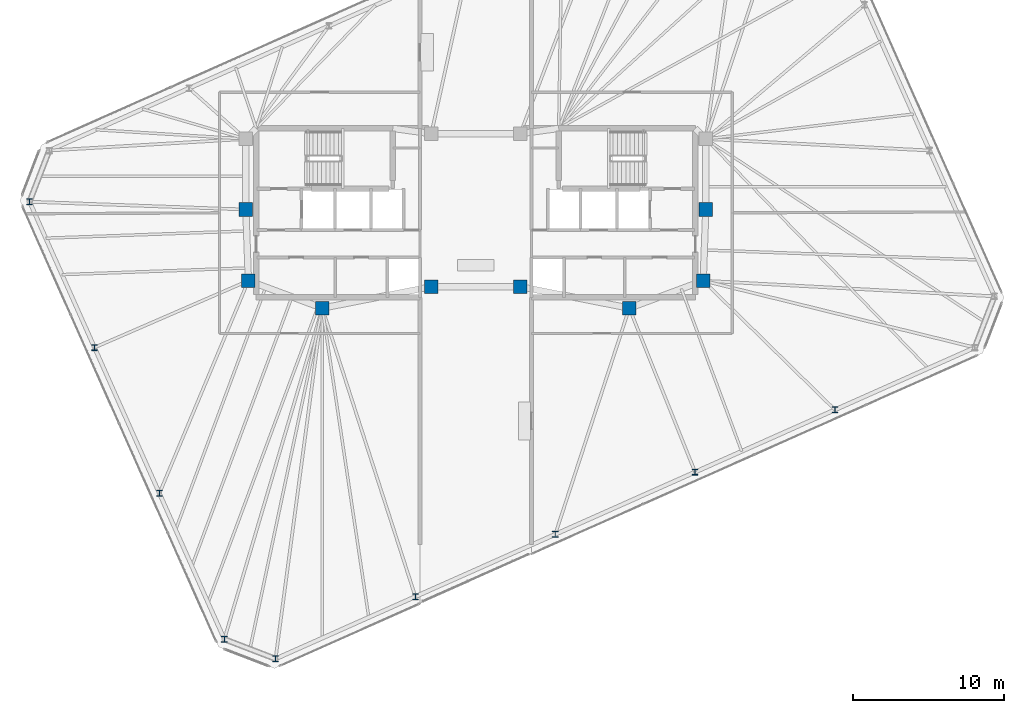
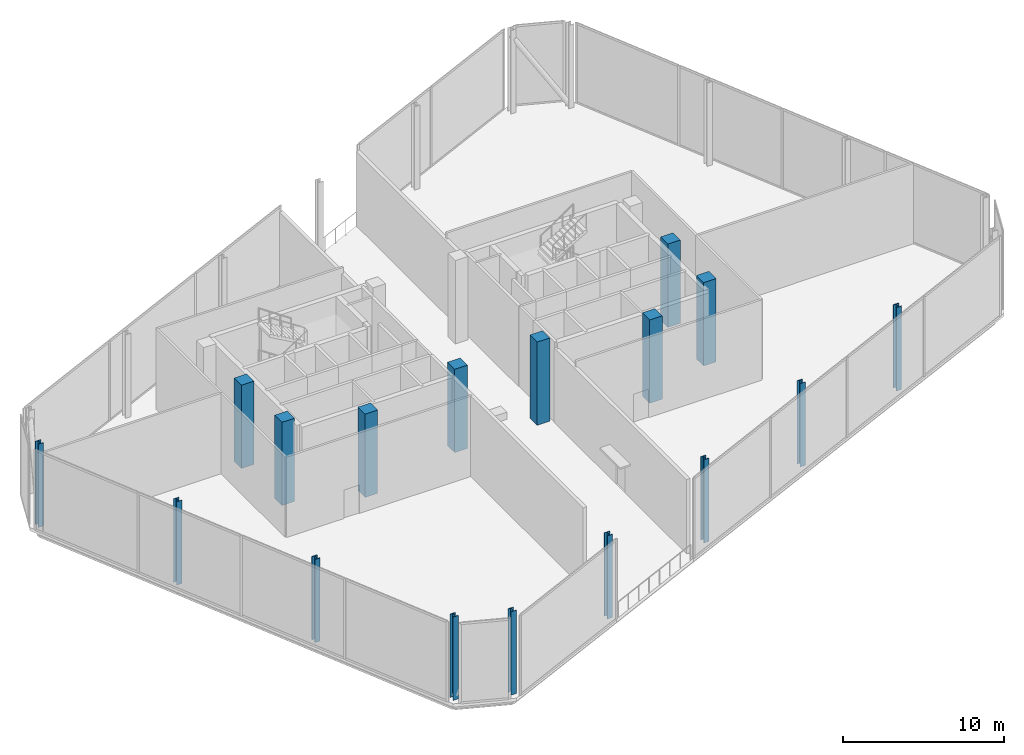
# One storey, part 1 of 16: 17 columns.
"""IFC4 building model written with IfcOpenShell, lengths in metres."""

from ifc_helpers import new_model, si_unit, direction, frame, origin, origin_2d, place, context, subcontext, project, spatial, rectangle, i_section, extrude, material, material_profile, profile_set, type_object, element, save


model = new_model("IFC4")

# Units and contexts
model_context = context("Model", 3, precision=1e-05, world=origin(), true_north=direction((0.0, 1.0)))
body_context = subcontext(model_context, "Body", "Model", "MODEL_VIEW")
ifc_project = project(units=[si_unit("LENGTHUNIT", "METRE"), si_unit("AREAUNIT", "SQUARE_METRE"), si_unit("VOLUMEUNIT", "CUBIC_METRE"), si_unit("PLANEANGLEUNIT", "RADIAN"), si_unit("MASSUNIT", "GRAM", prefix="KILO")], contexts=[model_context])

# Site, building, storey
site_placement = place(None, origin())
site = spatial("IfcSite", under=ifc_project, at=site_placement, CompositionType="ELEMENT")
building_placement = place(site_placement, origin())
building = spatial("IfcBuilding", under=site, at=building_placement, Name="Menara Jurai Vektor", CompositionType="ELEMENT")
storey_placement = place(building_placement, frame((0.0, 0.0, 275.60009765625)))
storey = spatial("IfcBuildingStorey", under=building, at=storey_placement, Name="L74", CompositionType="ELEMENT", Elevation=275.60009765625)

# Columns
ifc_material_1 = material(Name="Steel S460", Category="steel")
ifc_material_profile_1 = material_profile(ifc_material_1, i_section(OverallWidth=0.376953125, OverallDepth=0.39892578125, WebThickness=0.02490234375, FlangeThickness=0.0400390625, FilletRadius=0.014892578125, at=origin_2d()), Name="HD 360x314")
ifc_profile_set_1 = profile_set([ifc_material_profile_1], Name="Steel S460")
column_type_1 = type_object("IfcColumnType", Name="STR-COL-PORTAL", PredefinedType="COLUMN", material=ifc_profile_set_1)
for number, where, z_axis, x_axis, name in (
    (1, (-13.279541015625, -29.576904296875, 0.0), (0.0, 0.0, 1.0), (1.0, 0.0, 0.0), "Exoskeleton Column BLK5-S1 L74"),
    (2, (-4.006103515625, -25.4482421875, 0.0), (0.0, 0.0, 1.0), (1.0, 0.0, 0.0), "Exoskeleton Column BLK5-S2 L74"),
    (3, (5.267578125, -21.3193359375, 0.0), (0.0, 0.0, 1.0), (1.0, 0.0, 0.0), "Exoskeleton Column BLK5-S3 L74"),
    (4, (14.541015625, -17.1904296875, 0.0), (0.0, 0.0, 1.0), (1.0, 0.0, 0.0), "Exoskeleton Column BLK5-S4 L74"),
    (5, (23.814453125, -13.061767578125, 0.0), (0.0, 0.0, 1.0), (1.0, 0.0, 0.0), "Exoskeleton Column BLK5-S5 L74"),
    (6, (-29.591796875, 0.73681640625, 0.0), (0.0, 0.0, 1.0), (1.0, 0.0, 0.0), "Exoskeleton Column BLK5-W1 L74"),
    (7, (-25.286376953125, -8.933349609375, 0.0), (0.0, 0.0, 1.0), (1.0, 0.0, 0.0), "Exoskeleton Column BLK5-W2 L74"),
    (8, (-20.98095703125, -18.603271484375, 0.0), (0.0, 0.0, 1.0), (1.0, 0.0, 0.0), "Exoskeleton Column BLK5-W3 L74"),
    (9, (-16.675537109375, -28.2734375, 0.0), (0.0, 0.0, 1.0), (1.0, 0.0, 0.0), "Exoskeleton Column BLK5-W4 L74"),
):
    element("IfcColumn", number, at=place(storey_placement, frame(where, z_axis=z_axis, x_axis=x_axis)), inside=storey, type_object=column_type_1, Name=name, PredefinedType="COLUMN", context=body_context, shape_type="SweptSolid", body=[
        extrude(i_section(OverallWidth=0.376953125, OverallDepth=0.39892578125, WebThickness=0.02490234375, FlangeThickness=0.0400390625, FilletRadius=0.014892578125, at=origin_2d()), origin(), (0.0, 0.0, 1.0), 6.2998046875),
    ])
ifc_material_2 = material(Name="Concrete C50/60", Category="concrete")
ifc_material_profile_2 = material_profile(ifc_material_2, rectangle(XDim=0.89990234375, YDim=0.89990234375, at=origin_2d()), Name="RC 900x900")
ifc_profile_set_2 = profile_set([ifc_material_profile_2], Name="Concrete C50/60")
column_type_2 = type_object("IfcColumnType", Name="STR-COL-RC900", PredefinedType="COLUMN", material=ifc_profile_set_2)
for number, where, z_axis, x_axis, name in (
    (10, (-15.25, 0.219970703125, 0.0), (0.0, 0.0, 1.0), (1.0, 0.0, 0.0), "Core Spine Column CW-WM L74"),
    (11, (-15.080078125, -4.5, 0.0), (0.0, 0.0, 1.0), (1.0, 0.0, 0.0), "Core Spine Column CW-SW L74"),
    (12, (-10.179931640625, -6.320068359375, 0.0), (0.0, 0.0, 1.0), (1.0, 0.0, 0.0), "Core Spine Column CW-SM L74"),
    (13, (-2.949951171875, -4.89990234375, 0.0), (0.0, 0.0, 1.0), (1.0, 0.0, 0.0), "Core Spine Column CW-SE L74"),
    (14, (15.25, 0.219970703125, 0.0), (0.0, 0.0, 1.0), (1.0, 0.0, 0.0), "Core Spine Column CE-EM L74"),
    (15, (15.080078125, -4.5, 0.0), (0.0, 0.0, 1.0), (1.0, 0.0, 0.0), "Core Spine Column CE-SE L74"),
    (16, (10.179931640625, -6.320068359375, 0.0), (0.0, 0.0, 1.0), (1.0, 0.0, 0.0), "Core Spine Column CE-SM L74"),
    (17, (2.949951171875, -4.89990234375, 0.0), (0.0, 0.0, 1.0), (1.0, 0.0, 0.0), "Core Spine Column CE-SW L74"),
):
    element("IfcColumn", number, at=place(storey_placement, frame(where, z_axis=z_axis, x_axis=x_axis)), inside=storey, type_object=column_type_2, Name=name, PredefinedType="COLUMN", context=body_context, shape_type="SweptSolid", body=[
        extrude(rectangle(XDim=0.89990234375, YDim=0.89990234375, at=origin_2d()), origin(), (0.0, 0.0, 1.0), 6.2998046875),
    ])

save(model, "model.ifc")
